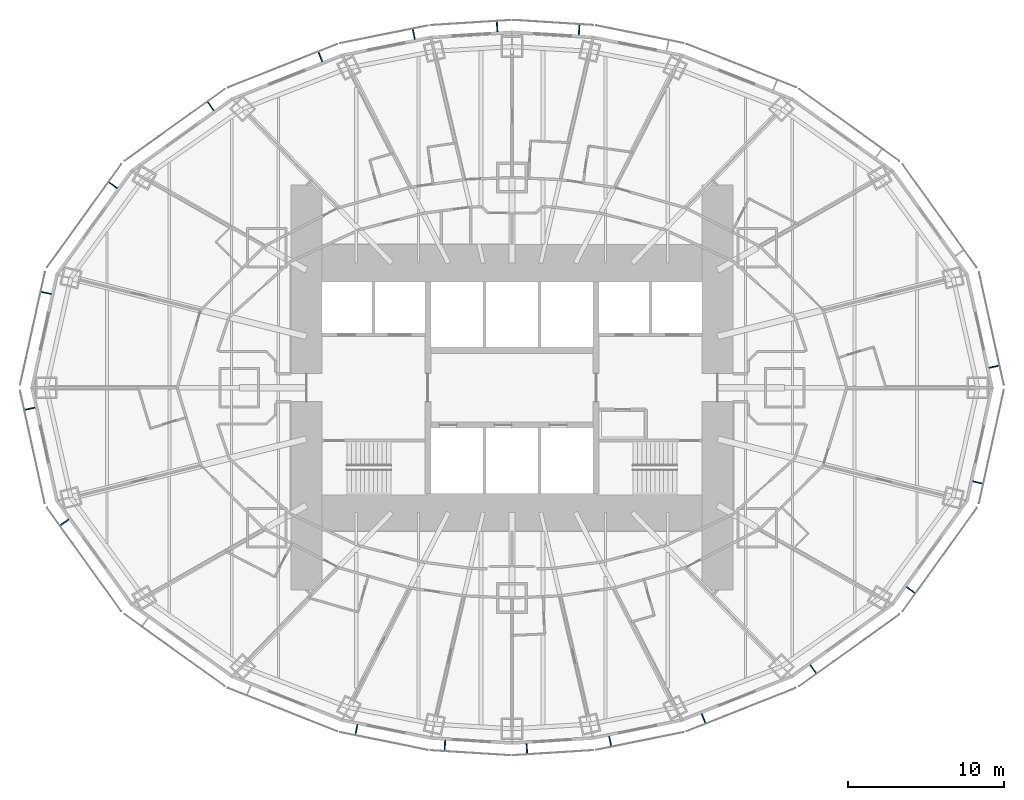
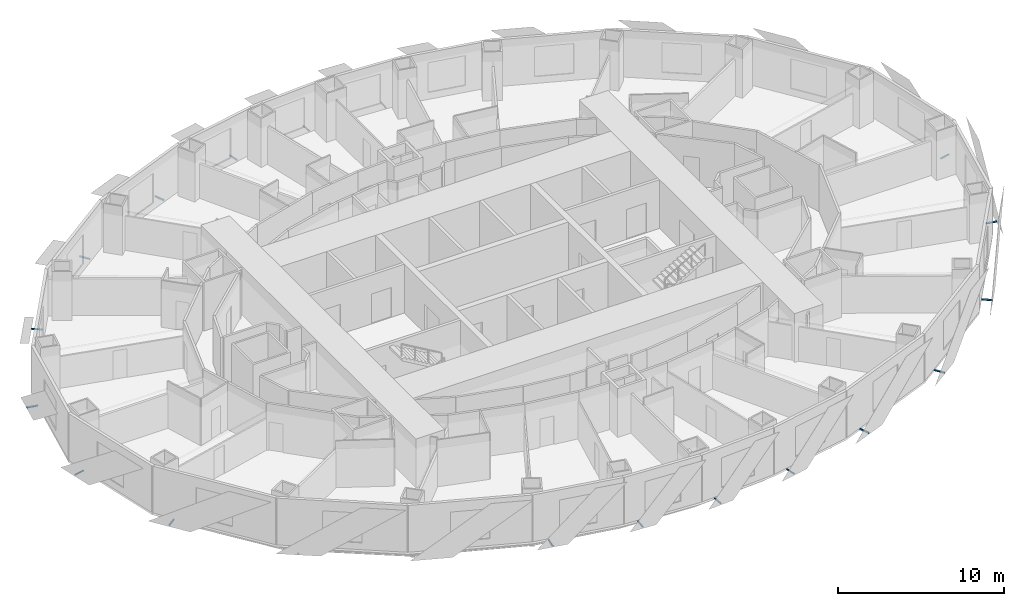
# One storey, part 11 of 15: 18 discrete accessories.
"""IFC4 building model written with IfcOpenShell, lengths in metres."""

from ifc_helpers import new_model, si_unit, direction, frame, origin, origin_2d, place, context, subcontext, project, spatial, rectangle, extrude, element, save


model = new_model("IFC4")

# Units and contexts
model_context = context("Model", 3, precision=1e-05, world=origin(), true_north=direction((0.0, 1.0)))
body_context = subcontext(model_context, "Body", "Model", "MODEL_VIEW")
ifc_project = project(units=[si_unit("LENGTHUNIT", "METRE"), si_unit("AREAUNIT", "SQUARE_METRE"), si_unit("VOLUMEUNIT", "CUBIC_METRE"), si_unit("PLANEANGLEUNIT", "RADIAN"), si_unit("MASSUNIT", "GRAM", prefix="KILO")], contexts=[model_context])

# Site, building, storey
site_placement = place(None, origin())
site = spatial("IfcSite", under=ifc_project, at=site_placement, CompositionType="ELEMENT")
building_placement = place(site_placement, origin())
building = spatial("IfcBuilding", under=site, at=building_placement, Name="Lantaw Convention Tower", CompositionType="ELEMENT")
storey_placement = place(building_placement, frame((0.0, 0.0, 47.800048828125)))
storey = spatial("IfcBuildingStorey", under=building, at=storey_placement, Name="L09", CompositionType="ELEMENT", Elevation=47.800048828125)

# Discrete accessories
for number, where, z_axis, x_axis, name in (
    (1, (30.967529296875, 1.35009765625, -0.114990234375), (0.0, 0.0, 1.0), (-0.215246056391, 0.976559847223, 0.0), "Screen bracket"),
    (2, (4.310302734375, 22.987548828125, -0.114990234375), (0.0, 0.0, 1.0), (-0.998016153807, 0.062958373078, 0.0), "Screen bracket"),
    (3, (-0.9560546875, 23.19921875, -0.114990234375), (0.0, 0.0, 1.0), (-0.998016153807, -0.062958373078, 0.0), "Screen bracket"),
    (4, (-6.307861328125, 22.71728515625, -0.114990234375), (0.0, 0.0, 1.0), (-0.980244604501, -0.197789067813, 0.0), "Screen bracket"),
    (5, (-12.309814453125, 21.25732421875, -0.114990234375), (0.0, 0.0, 1.0), (-0.929361152748, -0.369171840425, 0.0), "Screen bracket"),
    (6, (-19.352294921875, 18.085205078125, -0.114990234375), (0.0, 0.0, 1.0), (-0.812803733199, -0.5825376308, 0.0), "Screen bracket"),
    (7, (-25.61962890625, 13.004638671875, -0.114990234375), (0.0, 0.0, 1.0), (-0.583951250436, -0.811788726895, 0.0), "Screen bracket"),
    (8, (-29.92333984375, 6.087890625, -0.114990234375), (0.0, 0.0, 1.0), (-0.215246056391, -0.976559847223, 0.0), "Screen bracket"),
    (9, (-30.967529296875, -1.35009765625, -0.114990234375), (0.0, 0.0, 1.0), (0.215246056391, -0.976559847223, 0.0), "Screen bracket"),
    (10, (-28.745849609375, -8.65869140625, -0.114990234375), (0.0, 0.0, 1.0), (0.583951250436, -0.811788726895, 0.0), "Screen bracket"),
    (11, (-9.990478515625, -21.974365234375, -0.114990234375), (0.0, 0.0, 1.0), (0.980244604501, -0.197789067813, 0.0), "Screen bracket"),
    (12, (-4.310302734375, -22.987548828125, -0.114990234375), (0.0, 0.0, 1.0), (0.998016153807, -0.062958373078, 0.0), "Screen bracket"),
    (13, (0.9560546875, -23.19921875, -0.114990234375), (0.0, 0.0, 1.0), (0.998016153807, 0.062958373078, 0.0), "Screen bracket"),
    (14, (6.307861328125, -22.71728515625, -0.114990234375), (0.0, 0.0, 1.0), (0.980244604501, 0.197789067813, 0.0), "Screen bracket"),
    (15, (12.309814453125, -21.25732421875, -0.114990234375), (0.0, 0.0, 1.0), (0.929361152748, 0.369171840425, 0.0), "Screen bracket"),
    (16, (19.352294921875, -18.085205078125, -0.114990234375), (0.0, 0.0, 1.0), (0.812803733199, 0.5825376308, 0.0), "Screen bracket"),
    (17, (25.61962890625, -13.004638671875, -0.114990234375), (0.0, 0.0, 1.0), (0.583951250436, 0.811788726895, 0.0), "Screen bracket"),
    (18, (29.92333984375, -6.087890625, -0.114990234375), (0.0, 0.0, 1.0), (0.215246056391, 0.976559847223, 0.0), "Screen bracket"),
):
    element("IfcDiscreteAccessory", number, at=place(storey_placement, frame(where, z_axis=z_axis, x_axis=x_axis)), inside=storey, Name=name, PredefinedType="BRACKET", context=body_context, shape_type="SweptSolid", body=[
        extrude(rectangle(XDim=0.080078125, YDim=0.68798828125, at=origin_2d()), origin(), (0.0, 0.0, 1.0), 0.080078125),
    ])

save(model, "model.ifc")
